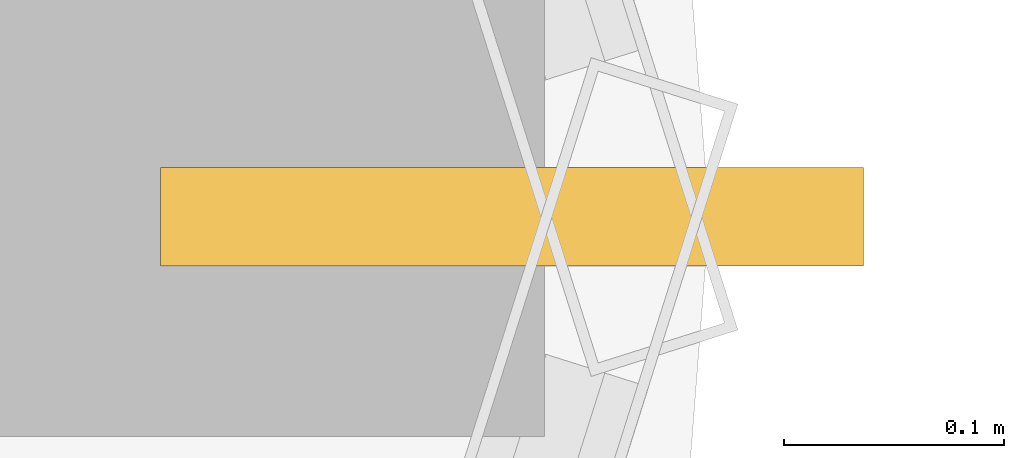
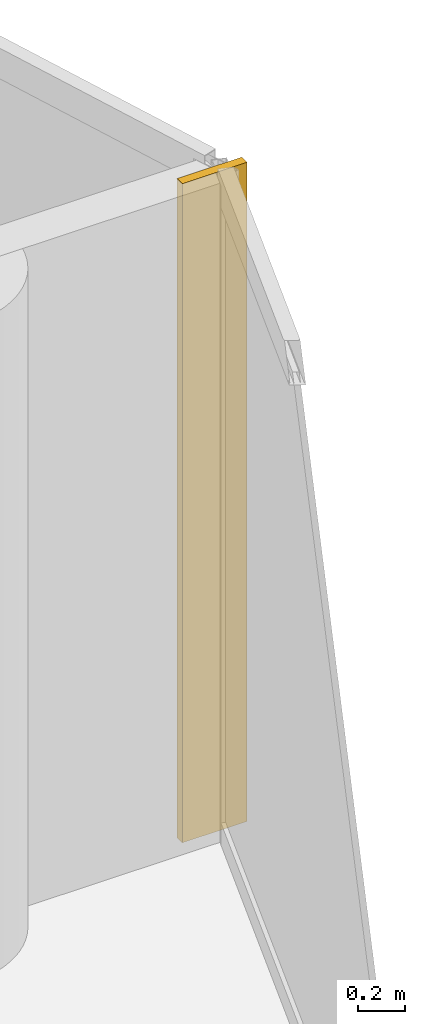
# One storey, part 27 of 27: 1 shading device.
"""IFC4 building model written with IfcOpenShell, lengths in metres."""

from ifc_helpers import new_model, si_unit, direction, frame, origin, origin_2d, place, context, subcontext, project, spatial, rectangle, extrude, material, layer, layer_set, type_object, element, save


model = new_model("IFC4")

# Units and contexts
model_context = context("Model", 3, precision=1e-05, world=origin(), true_north=direction((0.0, 1.0)))
body_context = subcontext(model_context, "Body", "Model", "MODEL_VIEW")
ifc_project = project(units=[si_unit("LENGTHUNIT", "METRE"), si_unit("AREAUNIT", "SQUARE_METRE"), si_unit("VOLUMEUNIT", "CUBIC_METRE"), si_unit("PLANEANGLEUNIT", "RADIAN"), si_unit("MASSUNIT", "GRAM", prefix="KILO")], contexts=[model_context])

# Site, building, storey
site_placement = place(None, origin())
site = spatial("IfcSite", under=ifc_project, at=site_placement, CompositionType="ELEMENT")
building_placement = place(site_placement, origin())
building = spatial("IfcBuilding", under=site, at=building_placement, Name="Nuhasar Tower", CompositionType="ELEMENT")
storey_placement = place(building_placement, frame((0.0, 0.0, 158.949951171875)))
storey = spatial("IfcBuildingStorey", under=building, at=storey_placement, Name="L38", CompositionType="ELEMENT", Elevation=158.949951171875)

# Shading device
ifc_material = material(Name="Aluminium 6063-T6", Category="aluminium")
ifc_layer = layer(ifc_material, 0.044921875)
ifc_layer_set = layer_set([ifc_layer], Name="Aluminium 6063-T6")
shading_device_type = type_object("IfcShadingDeviceType", Name="SHD-FIN-320", PredefinedType="JALOUSIE", material=ifc_layer_set)
shading_device_placement = place(storey_placement, frame((63.81005859375, 26.800048828125, 0.0), z_axis=(0.0, 0.0, 1.0), x_axis=(1.0, 0.0, 0.0)))
element("IfcShadingDevice", 1, at=shading_device_placement, inside=storey, type_object=shading_device_type, Name="L38 Solar Mashrabiya Fin 01", PredefinedType="JALOUSIE", context=body_context, shape_type="SweptSolid", body=[
    extrude(rectangle(XDim=0.320068359375, YDim=0.044921875, at=origin_2d()), origin(), (0.0, 0.0, 1.0), 3.449951171875),
])

save(model, "model.ifc")
